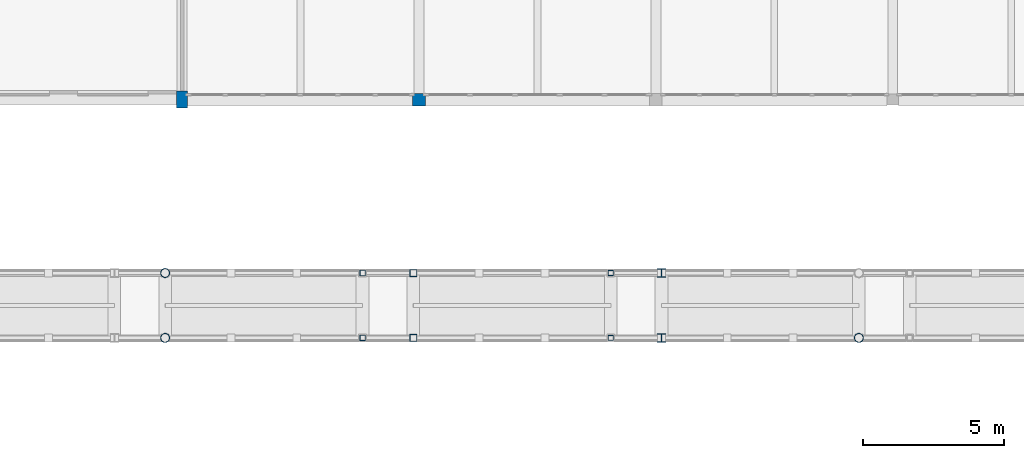
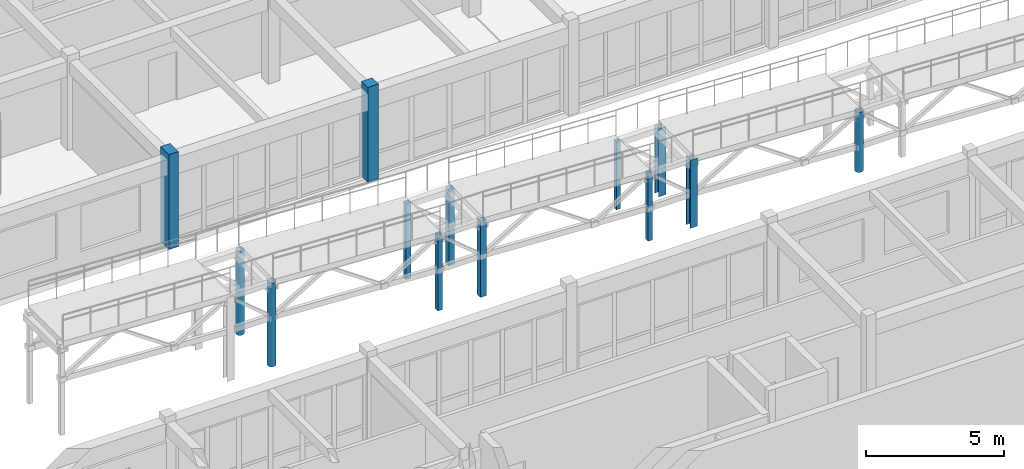
# One storey, part 4 of 89: 13 columns.
"""IFC4 building model written with IfcOpenShell, lengths in metres."""

from ifc_helpers import new_model, si_unit, direction, frame, origin, origin_2d, place, context, subcontext, project, spatial, rectangle, hollow_rectangle, hollow_circle, i_section, extrude, material, material_profile, profile_set, type_object, element, save


model = new_model("IFC4")

# Units and contexts
model_context = context("Model", 3, precision=1e-05, world=origin(), true_north=direction((0.0, 1.0)))
body_context = subcontext(model_context, "Body", "Model", "MODEL_VIEW")
ifc_project = project(units=[si_unit("LENGTHUNIT", "METRE"), si_unit("AREAUNIT", "SQUARE_METRE"), si_unit("VOLUMEUNIT", "CUBIC_METRE"), si_unit("PLANEANGLEUNIT", "RADIAN"), si_unit("MASSUNIT", "GRAM", prefix="KILO")], contexts=[model_context])

# Site, building, storey
site_placement = place(None, origin())
site = spatial("IfcSite", under=ifc_project, at=site_placement, CompositionType="ELEMENT")
building_placement = place(site_placement, origin())
building = spatial("IfcBuilding", under=site, at=building_placement, Name="Malvenik Polytechnic", CompositionType="ELEMENT")
storey_placement = place(building_placement, frame((0.0, 0.0, 13.5)))
storey = spatial("IfcBuildingStorey", under=building, at=storey_placement, Name="L03", CompositionType="ELEMENT", Elevation=13.5)

# Columns
ifc_material_1 = material(Name="Concrete C35/45", Category="concrete")
ifc_material_profile_1 = material_profile(ifc_material_1, rectangle(XDim=0.449951171875, YDim=0.449951171875, at=origin_2d()), Name="RC COL 450x450")
ifc_profile_set_1 = profile_set([ifc_material_profile_1], Name="Concrete C35/45")
column_type_1 = type_object("IfcColumnType", Name="STR-COL-C-09", PredefinedType="COLUMN", material=ifc_profile_set_1)
column_1_placement = place(storey_placement, frame((42.0, 79.199951171875, 0.0), z_axis=(0.0, 0.0, 1.0), x_axis=(1.0, 0.0, 0.0)))
element("IfcColumn", 1, at=column_1_placement, inside=storey, type_object=column_type_1, Name="Column C-09 L03 (42.0,79.2)", PredefinedType="COLUMN", context=body_context, shape_type="SweptSolid", body=[
    extrude(rectangle(XDim=0.449951171875, YDim=0.449951171875, at=origin_2d()), origin(), (0.0, 0.0, 1.0), 4.199951171875),
])
ifc_material_profile_2 = material_profile(ifc_material_1, rectangle(XDim=0.39990234375, YDim=0.60009765625, at=origin_2d()), Name="RC COL 600x400")
ifc_profile_set_2 = profile_set([ifc_material_profile_2], Name="Concrete C35/45")
column_type_2 = type_object("IfcColumnType", Name="STR-COL-C-15", PredefinedType="COLUMN", material=ifc_profile_set_2)
column_2_placement = place(storey_placement, frame((33.60009765625, 79.199951171875, 0.0), z_axis=(0.0, 0.0, 1.0), x_axis=(1.0, 0.0, 0.0)))
element("IfcColumn", 2, at=column_2_placement, inside=storey, type_object=column_type_2, Name="Column C-15 L03 (33.6,79.2)", PredefinedType="COLUMN", context=body_context, shape_type="SweptSolid", body=[
    extrude(rectangle(XDim=0.39990234375, YDim=0.60009765625, at=origin_2d()), origin(), (0.0, 0.0, 1.0), 4.199951171875),
])
ifc_material_2 = material(Name="Steel S355J2H", Category="steel")
ifc_material_profile_3 = material_profile(ifc_material_2, hollow_rectangle(XDim=0.25, YDim=0.25, WallThickness=0.010009765625, at=origin_2d()), Name="SHS 250x250x10.0")
ifc_profile_set_3 = profile_set([ifc_material_profile_3], Name="Steel S355J2H")
column_type_3 = type_object("IfcColumnType", Name="STR-SCOL-SC-01", PredefinedType="COLUMN", material=ifc_profile_set_3)
for number, where, z_axis, x_axis, name in (
    (3, (41.800048828125, 70.75, 0.0), (0.0, 0.0, 1.0), (1.0, 0.0, 0.0), "Bridge-Ramp Support Column SC-01 L03"),
    (4, (41.800048828125, 73.050048828125, 0.0), (0.0, 0.0, 1.0), (1.0, 0.0, 0.0), "Bridge-Ramp Support Column SC-01 L03"),
):
    element("IfcColumn", number, at=place(storey_placement, frame(where, z_axis=z_axis, x_axis=x_axis)), inside=storey, type_object=column_type_3, Name=name, PredefinedType="COLUMN", context=body_context, shape_type="SweptSolid", body=[
        extrude(hollow_rectangle(XDim=0.25, YDim=0.25, WallThickness=0.010009765625, at=origin_2d()), origin(), (0.0, 0.0, 1.0), 3.360107421875),
    ])
ifc_material_profile_4 = material_profile(ifc_material_2, hollow_rectangle(XDim=0.199951171875, YDim=0.199951171875, WallThickness=0.010009765625, at=origin_2d()), Name="SHS 200x200x10.0")
ifc_profile_set_4 = profile_set([ifc_material_profile_4], Name="Steel S355J2H")
column_type_4 = type_object("IfcColumnType", Name="STR-SCOL-SC-02", PredefinedType="COLUMN", material=ifc_profile_set_4)
for number, where, z_axis, x_axis, name in (
    (5, (40.0, 70.75, 0.0), (0.0, 0.0, 1.0), (1.0, 0.0, 0.0), "Bridge-Ramp Support Column SC-02 L03"),
    (6, (40.0, 73.050048828125, 0.0), (0.0, 0.0, 1.0), (1.0, 0.0, 0.0), "Bridge-Ramp Support Column SC-02 L03"),
):
    element("IfcColumn", number, at=place(storey_placement, frame(where, z_axis=z_axis, x_axis=x_axis)), inside=storey, type_object=column_type_4, Name=name, PredefinedType="COLUMN", context=body_context, shape_type="SweptSolid", body=[
        extrude(hollow_rectangle(XDim=0.199951171875, YDim=0.199951171875, WallThickness=0.010009765625, at=origin_2d()), origin(), (0.0, 0.0, 1.0), 3.360107421875),
    ])
ifc_material_profile_5 = material_profile(ifc_material_2, hollow_circle(Radius=0.161865234375, WallThickness=0.012451171875, at=origin_2d()), Name="CHS 323.9x12.5")
ifc_profile_set_5 = profile_set([ifc_material_profile_5], Name="Steel S355J2H")
column_type_5 = type_object("IfcColumnType", Name="STR-SCOL-SC-04", PredefinedType="COLUMN", material=ifc_profile_set_5)
column_3_placement = place(storey_placement, frame((57.60009765625, 70.75, 0.0), z_axis=(0.0, 0.0, 1.0), x_axis=(1.0, 0.0, 0.0)))
element("IfcColumn", 7, at=column_3_placement, inside=storey, type_object=column_type_5, Name="Bridge-Ramp Support Column SC-04 L03", PredefinedType="COLUMN", context=body_context, shape_type="SweptSolid", body=[
    extrude(hollow_circle(Radius=0.161865234375, WallThickness=0.012451171875, at=origin_2d()), origin(), (0.0, 0.0, 1.0), 2.659912109375),
])
for number, where, z_axis, x_axis, name in (
    (8, (33.0, 70.75, 0.0), (0.0, 0.0, 1.0), (1.0, 0.0, 0.0), "Bridge-Ramp Support Column SC-04 L03"),
    (9, (33.0, 73.050048828125, 0.0), (0.0, 0.0, 1.0), (1.0, 0.0, 0.0), "Bridge-Ramp Support Column SC-04 L03"),
):
    element("IfcColumn", number, at=place(storey_placement, frame(where, z_axis=z_axis, x_axis=x_axis)), inside=storey, type_object=column_type_5, Name=name, PredefinedType="COLUMN", context=body_context, shape_type="SweptSolid", body=[
        extrude(hollow_circle(Radius=0.161865234375, WallThickness=0.012451171875, at=origin_2d()), origin(), (0.0, 0.0, 1.0), 3.7099609375),
    ])
ifc_material_3 = material(Name="Steel S355", Category="steel")
ifc_material_profile_6 = material_profile(ifc_material_3, i_section(OverallWidth=0.300048828125, OverallDepth=0.300048828125, WebThickness=0.010986328125, FlangeThickness=0.01904296875, FilletRadius=0.027099609375, at=origin_2d()), Name="HEB 300")
ifc_profile_set_6 = profile_set([ifc_material_profile_6], Name="Steel S355")
column_type_6 = type_object("IfcColumnType", Name="STR-SCOL-SC-05", PredefinedType="COLUMN", material=ifc_profile_set_6)
for number, where, z_axis, x_axis, name in (
    (10, (50.60009765625, 70.75, 0.0), (0.0, 0.0, 1.0), (1.0, 0.0, 0.0), "Bridge-Ramp Support Column SC-05 L03"),
    (11, (50.60009765625, 73.050048828125, 0.0), (0.0, 0.0, 1.0), (1.0, 0.0, 0.0), "Bridge-Ramp Support Column SC-05 L03"),
):
    element("IfcColumn", number, at=place(storey_placement, frame(where, z_axis=z_axis, x_axis=x_axis)), inside=storey, type_object=column_type_6, Name=name, PredefinedType="COLUMN", context=body_context, shape_type="SweptSolid", body=[
        extrude(i_section(OverallWidth=0.300048828125, OverallDepth=0.300048828125, WebThickness=0.010986328125, FlangeThickness=0.01904296875, FilletRadius=0.027099609375, at=origin_2d()), origin(), (0.0, 0.0, 1.0), 3.010009765625),
    ])
ifc_material_profile_7 = material_profile(ifc_material_2, hollow_rectangle(XDim=0.179931640625, YDim=0.179931640625, WallThickness=0.008056640625, at=origin_2d()), Name="SHS 180x180x8.0")
ifc_profile_set_7 = profile_set([ifc_material_profile_7], Name="Steel S355J2H")
column_type_7 = type_object("IfcColumnType", Name="STR-SCOL-SC-06", PredefinedType="COLUMN", material=ifc_profile_set_7)
for number, where, z_axis, x_axis, name in (
    (12, (48.800048828125, 70.75, 0.0), (0.0, 0.0, 1.0), (1.0, 0.0, 0.0), "Bridge-Ramp Support Column SC-06 L03"),
    (13, (48.800048828125, 73.050048828125, 0.0), (0.0, 0.0, 1.0), (1.0, 0.0, 0.0), "Bridge-Ramp Support Column SC-06 L03"),
):
    element("IfcColumn", number, at=place(storey_placement, frame(where, z_axis=z_axis, x_axis=x_axis)), inside=storey, type_object=column_type_7, Name=name, PredefinedType="COLUMN", context=body_context, shape_type="SweptSolid", body=[
        extrude(hollow_rectangle(XDim=0.179931640625, YDim=0.179931640625, WallThickness=0.008056640625, at=origin_2d()), origin(), (0.0, 0.0, 1.0), 3.010009765625),
    ])

save(model, "model.ifc")
